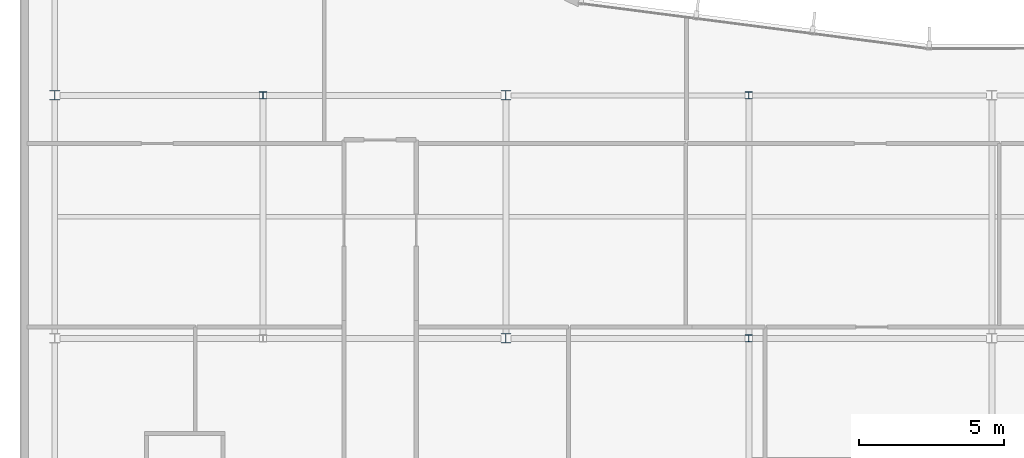
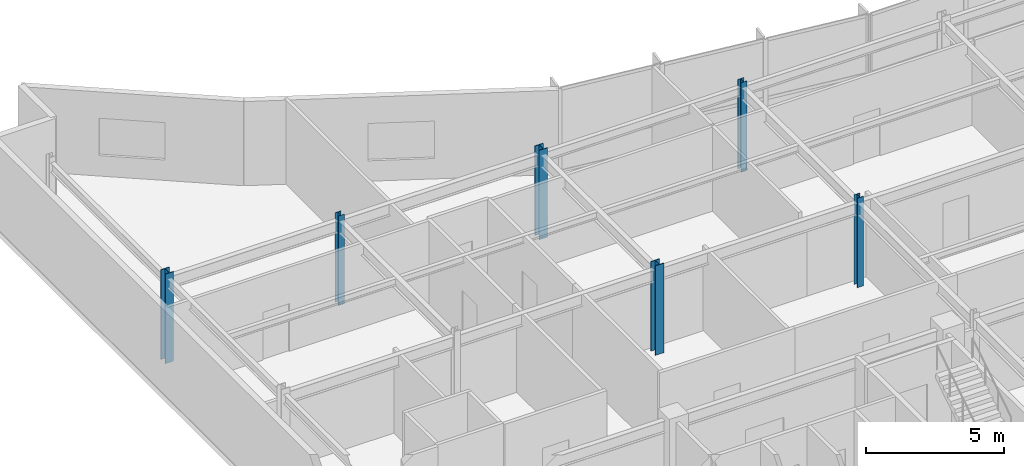
# One storey, part 2 of 15: 6 columns.
"""IFC4 building model written with IfcOpenShell, lengths in metres."""

from ifc_helpers import new_model, si_unit, direction, frame, origin, origin_2d, place, context, subcontext, project, spatial, i_section, extrude, material, material_profile, profile_set, type_object, element, save


model = new_model("IFC4")

# Units and contexts
model_context = context("Model", 3, precision=1e-05, world=origin(), true_north=direction((0.0, 1.0)))
body_context = subcontext(model_context, "Body", "Model", "MODEL_VIEW")
ifc_project = project(units=[si_unit("LENGTHUNIT", "METRE"), si_unit("AREAUNIT", "SQUARE_METRE"), si_unit("VOLUMEUNIT", "CUBIC_METRE"), si_unit("PLANEANGLEUNIT", "RADIAN"), si_unit("MASSUNIT", "GRAM", prefix="KILO")], contexts=[model_context])

# Site, building, storey
site_placement = place(None, origin())
site = spatial("IfcSite", under=ifc_project, at=site_placement, CompositionType="ELEMENT")
building_placement = place(site_placement, origin())
building = spatial("IfcBuilding", under=site, at=building_placement, Name="Varnakote Quay Hospital", CompositionType="ELEMENT")
storey_placement = place(building_placement, frame((0.0, 0.0, 244.699951171875)))
storey = spatial("IfcBuildingStorey", under=building, at=storey_placement, Name="L60", CompositionType="ELEMENT", Elevation=244.699951171875)

# Columns
ifc_material_1 = material(Name="Structural steel AS/NZS 3679.1 Grade 350 L0 (fy 340 MPa)", Category="steel")
ifc_material_profile_1 = material_profile(ifc_material_1, i_section(OverallWidth=0.25390625, OverallDepth=0.25390625, WebThickness=0.008544921875, FlangeThickness=0.01416015625, FilletRadius=0.0126953125, at=origin_2d()), Name="250UC72.9")
ifc_profile_set_1 = profile_set([ifc_material_profile_1], Name="Structural steel AS/NZS 3679.1 Grade 350 L0 (fy 340 MPa)")
column_type_1 = type_object("IfcColumnType", Name="COL-STL-250UC72-9", PredefinedType="COLUMN", material=ifc_profile_set_1)
for number, where, z_axis, x_axis, name in (
    (1, (25.199951171875, 20.39990234375, 0.0), (0.0, 0.0, 1.0), (1.0, 0.0, 0.0), "L60 Structural Column C-25-20"),
    (2, (8.39990234375, 28.800048828125, 0.0), (0.0, 0.0, 1.0), (1.0, 0.0, 0.0), "L60 Structural Column C-8-29"),
    (3, (25.199951171875, 28.800048828125, 0.0), (0.0, 0.0, 1.0), (1.0, 0.0, 0.0), "L60 Structural Column C-25-29"),
):
    element("IfcColumn", number, at=place(storey_placement, frame(where, z_axis=z_axis, x_axis=x_axis)), inside=storey, type_object=column_type_1, Name=name, PredefinedType="COLUMN", context=body_context, shape_type="SweptSolid", body=[
        extrude(i_section(OverallWidth=0.25390625, OverallDepth=0.25390625, WebThickness=0.008544921875, FlangeThickness=0.01416015625, FilletRadius=0.0126953125, at=origin_2d()), origin(), (0.0, 0.0, 1.0), 3.949951171875),
    ])
ifc_material_2 = material(Name="Structural steel AS/NZS 3678 Grade 350 (fy 340 MPa)", Category="steel")
ifc_material_profile_2 = material_profile(ifc_material_2, i_section(OverallWidth=0.35009765625, OverallDepth=0.340087890625, WebThickness=0.01611328125, FlangeThickness=0.028076171875, at=origin_2d()), Name="350WC197")
ifc_profile_set_2 = profile_set([ifc_material_profile_2], Name="Structural steel AS/NZS 3678 Grade 350 (fy 340 MPa)")
column_type_2 = type_object("IfcColumnType", Name="COL-STL-350WC197", PredefinedType="COLUMN", material=ifc_profile_set_2)
for number, where, z_axis, x_axis, name in (
    (4, (16.800048828125, 20.39990234375, 0.0), (0.0, 0.0, 1.0), (1.0, 0.0, 0.0), "L60 Structural Column C-17-20"),
    (5, (1.199951171875, 28.800048828125, 0.0), (0.0, 0.0, 1.0), (1.0, 0.0, 0.0), "L60 Structural Column C-1-29"),
    (6, (16.800048828125, 28.800048828125, 0.0), (0.0, 0.0, 1.0), (1.0, 0.0, 0.0), "L60 Structural Column C-17-29"),
):
    element("IfcColumn", number, at=place(storey_placement, frame(where, z_axis=z_axis, x_axis=x_axis)), inside=storey, type_object=column_type_2, Name=name, PredefinedType="COLUMN", context=body_context, shape_type="SweptSolid", body=[
        extrude(i_section(OverallWidth=0.35009765625, OverallDepth=0.340087890625, WebThickness=0.01611328125, FlangeThickness=0.028076171875, at=origin_2d()), origin(), (0.0, 0.0, 1.0), 3.949951171875),
    ])

save(model, "model.ifc")
